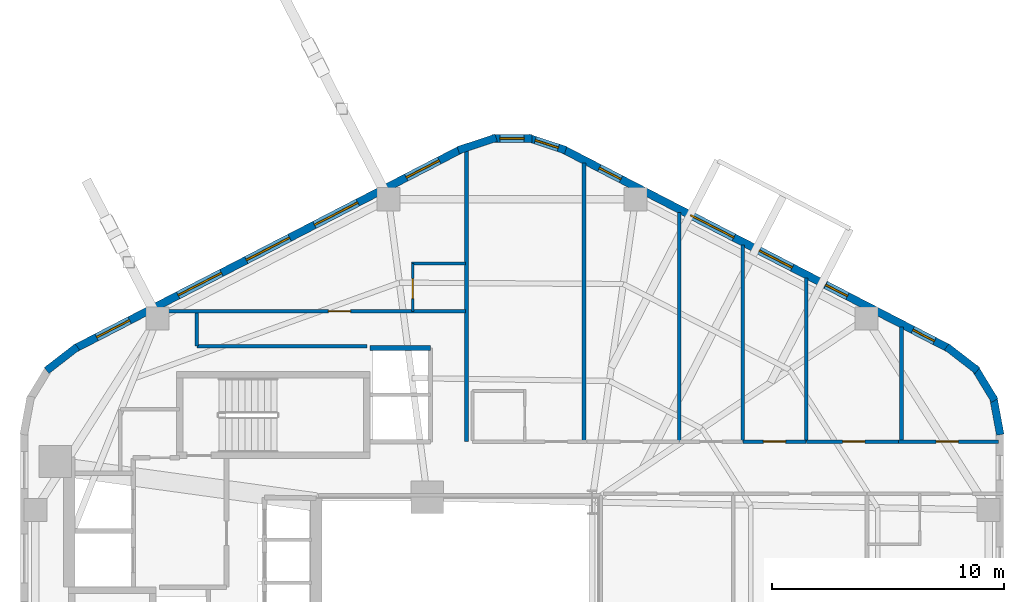
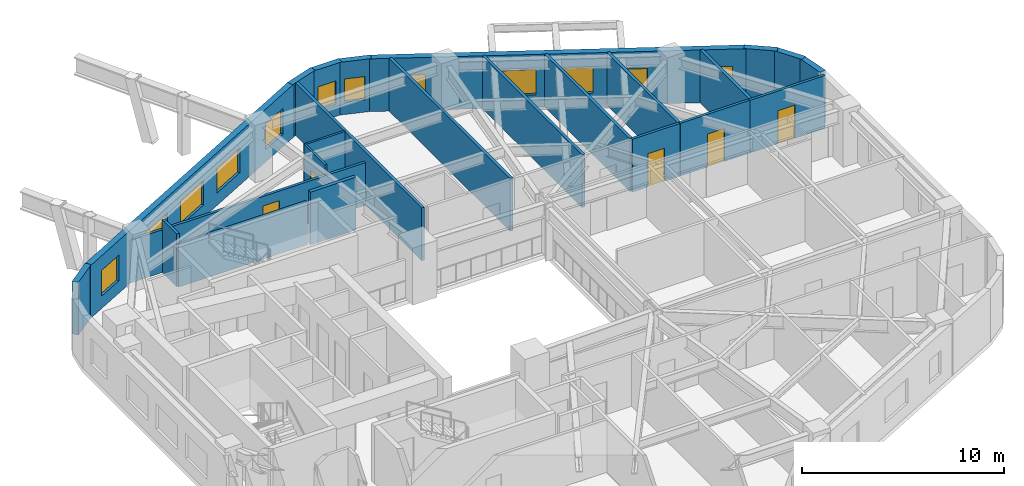
# One storey, part 6 of 8: 24 walls, 12 windows, 5 doors, 17 openings.
"""IFC4 building model written with IfcOpenShell, lengths in metres."""

from ifc_helpers import new_model, si_unit, direction, frame, frame_2d, origin, place, context, subcontext, project, spatial, rectangle, extrude, material, layer, layer_set, type_object, element, fill, save


model = new_model("IFC4")

# Units and contexts
model_context = context("Model", 3, precision=1e-05, world=origin(), true_north=direction((0.0, 1.0)))
body_context = subcontext(model_context, "Body", "Model", "MODEL_VIEW")
ifc_project = project(units=[si_unit("LENGTHUNIT", "METRE"), si_unit("AREAUNIT", "SQUARE_METRE"), si_unit("VOLUMEUNIT", "CUBIC_METRE"), si_unit("PLANEANGLEUNIT", "RADIAN"), si_unit("MASSUNIT", "GRAM", prefix="KILO"), si_unit("THERMODYNAMICTEMPERATUREUNIT", "KELVIN"), si_unit("POWERUNIT", "WATT")], contexts=[model_context])

# Site, building, storey
site_placement = place(None, origin())
site = spatial("IfcSite", under=ifc_project, at=site_placement, CompositionType="ELEMENT")
building_placement = place(site_placement, origin())
building = spatial("IfcBuilding", under=site, at=building_placement, Name="Skarre Station Tower", CompositionType="ELEMENT")
storey_placement = place(building_placement, frame((0.0, 0.0, 129.14990234375)))
storey = spatial("IfcBuildingStorey", under=building, at=storey_placement, Name="L34", CompositionType="ELEMENT", Elevation=129.14990234375)

# Wall, opening, door
ifc_material_1 = material(Name="Acoustic Steel-Stud Gypsum Partition", Category="steel")
ifc_layer_1 = layer(ifc_material_1, 0.14990234375, Name="Acoustic Steel-Stud Gypsum Partition")
ifc_layer_set_1 = layer_set([ifc_layer_1], Name="Acoustic Steel-Stud Gypsum Partition")
wall_type_1 = type_object("IfcWallType", Name="Fire-Rated Corridor Acoustic Partition 150", PredefinedType="PARTITIONING", material=ifc_layer_set_1)
wall_1_placement = place(storey_placement, frame((34.0, 37.580078125, 0.0), z_axis=(0.0, 0.0, 1.0), x_axis=(-1.0, 0.0, 0.0)))
wall_1 = element("IfcWall", 1, at=wall_1_placement, inside=storey, type_object=wall_type_1, Name="L34 Interior Partition WL-PT-L34-NWW1-CW", PredefinedType="PARTITIONING", context=body_context, shape_type="SweptSolid", body=[
    extrude(rectangle(XDim=13.70703125, YDim=0.14990234375, at=frame_2d((6.853515625, 0.0))), origin(), (0.0, 0.0, 1.0), 2.58203125),
])
opening_1_placement = place(wall_1_placement, frame((4.9599609375, 0.0, 0.0)))
opening_1 = element("IfcOpeningElement", 2, at=opening_1_placement, cuts=wall_1, Name="Opening DR-FD60", PredefinedType="OPENING", context=body_context, shape_type="SweptSolid", body=[
    extrude(rectangle(XDim=0.9599609375, YDim=2.0, at=frame_2d((0.47998046875, 1.0))), frame((0.0, 0.0849609375, 0.0), z_axis=(0.0, -1.0, 0.0), x_axis=(1.0, 0.0, 0.0)), (0.0, 0.0, 1.0), 0.169921875),
])
ifc_material_2 = material(Name="Nordic White-Oak Veneer Solid-Core Fire Leaf", Category="wood")
door_type_1 = type_object("IfcDoorType", Name="Corridor Suite Entry Fire Door FD60 960x2150", OperationType="SINGLE_SWING_LEFT", PredefinedType="DOOR", material=ifc_material_2)
door_1_placement = place(opening_1_placement, origin())
door_1 = element("IfcDoor", 3, at=door_1_placement, inside=storey, type_object=door_type_1, Name="L34 NWW1 Entry Door", OperationType="SINGLE_SWING_LEFT", OverallHeight=2.0, OverallWidth=0.9599609375, PredefinedType="DOOR", context=body_context, shape_type="SweptSolid", body=[
    extrude(rectangle(XDim=0.9599609375, YDim=2.0, at=frame_2d((0.47998046875, 1.0))), frame((0.0, 0.02490234375, 0.0), z_axis=(0.0, -1.0, 0.0), x_axis=(1.0, 0.0, 0.0)), (0.0, 0.0, 1.0), 0.050048828125),
])
fill(opening_1, door_1)

wall_2_placement = place(storey_placement, frame((48.679931640625, 31.9599609375, 0.0), z_axis=(0.0, 0.0, 1.0), x_axis=(-1.0, 0.0, 0.0)))
wall_2 = element("IfcWall", 4, at=wall_2_placement, inside=storey, type_object=wall_type_1, Name="L34 Interior Partition WL-PT-L34-NW4-CW", PredefinedType="PARTITIONING", context=body_context, shape_type="SweptSolid", body=[
    extrude(rectangle(XDim=2.7080078125, YDim=0.14990234375, at=frame_2d((1.35400390625, 0.0))), origin(), (0.0, 0.0, 1.0), 3.190185546875),
])
opening_2_placement = place(wall_2_placement, frame((0.8740234375, 0.0, 0.0)))
opening_2 = element("IfcOpeningElement", 5, at=opening_2_placement, cuts=wall_2, Name="Opening DR-FD60", PredefinedType="OPENING", context=body_context, shape_type="SweptSolid", body=[
    extrude(rectangle(XDim=0.9599609375, YDim=2.0, at=frame_2d((0.47998046875, 1.0))), frame((0.0, 0.0849609375, 0.0), z_axis=(0.0, -1.0, 0.0), x_axis=(1.0, 0.0, 0.0)), (0.0, 0.0, 1.0), 0.169921875),
])
door_2_placement = place(opening_2_placement, origin())
door_2 = element("IfcDoor", 6, at=door_2_placement, inside=storey, type_object=door_type_1, Name="L34 NW4 Entry Door", OperationType="SINGLE_SWING_LEFT", OverallHeight=2.0, OverallWidth=0.9599609375, PredefinedType="DOOR", context=body_context, shape_type="SweptSolid", body=[
    extrude(rectangle(XDim=0.9599609375, YDim=2.0, at=frame_2d((0.47998046875, 1.0))), frame((0.0, 0.02490234375, 0.0), z_axis=(0.0, -1.0, 0.0), x_axis=(1.0, 0.0, 0.0)), (0.0, 0.0, 1.0), 0.050048828125),
])
fill(opening_2, door_2)

wall_3_placement = place(storey_placement, frame((52.677001953125, 31.9599609375, 0.0), z_axis=(0.0, 0.0, 1.0), x_axis=(-1.0, 0.0, 0.0)))
wall_3 = element("IfcWall", 7, at=wall_3_placement, inside=storey, type_object=wall_type_1, Name="L34 Interior Partition WL-PT-L34-NW5-CW", PredefinedType="PARTITIONING", context=body_context, shape_type="SweptSolid", body=[
    extrude(rectangle(XDim=3.965087890625, YDim=0.14990234375, at=frame_2d((1.982421875, 0.0))), origin(), (0.0, 0.0, 1.0), 3.190185546875),
])
opening_3_placement = place(wall_3_placement, frame((1.446044921875, 0.0, 0.0)))
opening_3 = element("IfcOpeningElement", 8, at=opening_3_placement, cuts=wall_3, Name="Opening DR-FD60", PredefinedType="OPENING", context=body_context, shape_type="SweptSolid", body=[
    extrude(rectangle(XDim=0.9599609375, YDim=2.0, at=frame_2d((0.47998046875, 1.0))), frame((0.0, 0.0849609375, 0.0), z_axis=(0.0, -1.0, 0.0), x_axis=(1.0, 0.0, 0.0)), (0.0, 0.0, 1.0), 0.169921875),
])
door_3_placement = place(opening_3_placement, origin())
door_3 = element("IfcDoor", 9, at=door_3_placement, inside=storey, type_object=door_type_1, Name="L34 NW5 Entry Door", OperationType="SINGLE_SWING_LEFT", OverallHeight=2.0, OverallWidth=0.9599609375, PredefinedType="DOOR", context=body_context, shape_type="SweptSolid", body=[
    extrude(rectangle(XDim=0.9599609375, YDim=2.0, at=frame_2d((0.47998046875, 1.0))), frame((0.0, 0.02490234375, 0.0), z_axis=(0.0, -1.0, 0.0), x_axis=(1.0, 0.0, 0.0)), (0.0, 0.0, 1.0), 0.050048828125),
])
fill(opening_3, door_3)

wall_4_placement = place(storey_placement, frame((56.987060546875, 31.9599609375, 0.0), z_axis=(0.0, 0.0, 1.0), x_axis=(-1.0, 0.0, 0.0)))
wall_4 = element("IfcWall", 10, at=wall_4_placement, inside=storey, type_object=wall_type_1, Name="L34 Interior Partition WL-PT-L34-NW6-CW", PredefinedType="PARTITIONING", context=body_context, shape_type="SweptSolid", body=[
    extrude(rectangle(XDim=4.300048828125, YDim=0.14990234375, at=frame_2d((2.14990234375, 0.0))), origin(), (0.0, 0.0, 1.0), 3.190185546875),
])
opening_4_placement = place(wall_4_placement, frame((1.72705078125, 0.0, 0.0)))
opening_4 = element("IfcOpeningElement", 11, at=opening_4_placement, cuts=wall_4, Name="Opening DR-FD60", PredefinedType="OPENING", context=body_context, shape_type="SweptSolid", body=[
    extrude(rectangle(XDim=0.9599609375, YDim=2.0, at=frame_2d((0.47998046875, 1.0))), frame((0.0, 0.0849609375, 0.0), z_axis=(0.0, -1.0, 0.0), x_axis=(1.0, 0.0, 0.0)), (0.0, 0.0, 1.0), 0.169921875),
])
door_4_placement = place(opening_4_placement, origin())
door_4 = element("IfcDoor", 12, at=door_4_placement, inside=storey, type_object=door_type_1, Name="L34 NW6 Entry Door", OperationType="SINGLE_SWING_LEFT", OverallHeight=2.0, OverallWidth=0.9599609375, PredefinedType="DOOR", context=body_context, shape_type="SweptSolid", body=[
    extrude(rectangle(XDim=0.9599609375, YDim=2.0, at=frame_2d((0.47998046875, 1.0))), frame((0.0, 0.02490234375, 0.0), z_axis=(0.0, -1.0, 0.0), x_axis=(1.0, 0.0, 0.0)), (0.0, 0.0, 1.0), 0.050048828125),
])
fill(opening_4, door_4)

# Walls
wall_5_placement = place(storey_placement, frame((29.7529296875, 36.080078125, 0.0), z_axis=(0.0, 0.0, 1.0), x_axis=(-1.0, 0.0, 0.0)))
element("IfcWall", 13, at=wall_5_placement, inside=storey, type_object=wall_type_1, Name="L34 Interior Partition WL-PT-L34-CSEAL-1", PredefinedType="PARTITIONING", context=body_context, shape_type="SweptSolid", body=[
    extrude(rectangle(XDim=7.35302734375, YDim=0.14990234375, at=frame_2d((3.676513671875, 0.0))), origin(), (0.0, 0.0, 1.0), 2.58203125),
])
wall_6_placement = place(storey_placement, frame((22.39990234375, 36.080078125, 0.0), z_axis=(0.0, 0.0, 1.0), x_axis=(0.0, 1.0, 0.0)))
element("IfcWall", 14, at=wall_6_placement, inside=storey, type_object=wall_type_1, Name="L34 Interior Partition WL-PT-L34-CSEAL-2", PredefinedType="PARTITIONING", context=body_context, shape_type="SweptSolid", body=[
    extrude(rectangle(XDim=1.429931640625, YDim=0.14990234375, at=frame_2d((0.71484375, 0.0))), origin(), (0.0, 0.0, 1.0), 3.190185546875),
])
ifc_material_3 = material(Name="Insulated Timber-Stud Gypsum Partition", Category="wood")
ifc_layer_2 = layer(ifc_material_3, 0.1201171875, Name="Insulated Timber-Stud Gypsum Partition")
ifc_layer_set_2 = layer_set([ifc_layer_2], Name="Insulated Timber-Stud Gypsum Partition")
wall_type_2 = type_object("IfcWallType", Name="Internal Suite Acoustic Partition 120", PredefinedType="PARTITIONING", material=ifc_layer_set_2)
wall_7_placement = place(storey_placement, frame((34.0, 39.639892578125, 0.0), z_axis=(0.0, 0.0, 1.0), x_axis=(-1.0, 0.0, 0.0)))
element("IfcWall", 15, at=wall_7_placement, inside=storey, type_object=wall_type_2, Name="L34 Interior Partition WL-PT-L34-NWW1-EW3", PredefinedType="PARTITIONING", context=body_context, shape_type="SweptSolid", body=[
    extrude(rectangle(XDim=2.340087890625, YDim=0.1201171875, at=frame_2d((1.169921875, 0.0))), origin(), (0.0, 0.0, 1.0), 3.190185546875),
])

# Wall, opening, door
wall_8_placement = place(storey_placement, frame((31.719970703125, 39.639892578125, 0.0), z_axis=(0.0, 0.0, 1.0), x_axis=(0.0, -1.0, 0.0)))
wall_8 = element("IfcWall", 16, at=wall_8_placement, inside=storey, type_object=wall_type_2, Name="L34 Interior Partition WL-PT-L34-NWW1-EW4", PredefinedType="PARTITIONING", context=body_context, shape_type="SweptSolid", body=[
    extrude(rectangle(XDim=2.059814453125, YDim=0.1201171875, at=frame_2d((1.02978515625, 0.0))), origin(), (0.0, 0.0, 1.0), 3.190185546875),
])
opening_5_placement = place(wall_8_placement, frame((0.64990234375, 0.0, 0.0)))
opening_5 = element("IfcOpeningElement", 17, at=opening_5_placement, cuts=wall_8, Name="Opening DR-INT86", PredefinedType="OPENING", context=body_context, shape_type="SweptSolid", body=[
    extrude(rectangle(XDim=0.860107421875, YDim=2.0, at=frame_2d((0.43017578125, 1.0))), frame((0.0, 0.070068359375, 0.0), z_axis=(0.0, -1.0, 0.0), x_axis=(1.0, 0.0, 0.0)), (0.0, 0.0, 1.0), 0.14013671875),
])
ifc_material_4 = material(Name="Nordic Birch Acoustic Solid-Core Timber Leaf", Category="wood")
door_type_2 = type_object("IfcDoorType", Name="Internal En-Suite & Bedroom Door 860x2100", OperationType="SINGLE_SWING_LEFT", PredefinedType="DOOR", material=ifc_material_4)
door_5_placement = place(opening_5_placement, origin())
door_5 = element("IfcDoor", 18, at=door_5_placement, inside=storey, type_object=door_type_2, Name="L34 NWW1 En-suite Door", OperationType="SINGLE_SWING_RIGHT", OverallHeight=2.0, OverallWidth=0.860107421875, PredefinedType="DOOR", context=body_context, shape_type="SweptSolid", body=[
    extrude(rectangle(XDim=0.860107421875, YDim=2.0, at=frame_2d((0.43017578125, 1.0))), frame((0.0, 0.02490234375, 0.0), z_axis=(0.0, -1.0, 0.0), x_axis=(1.0, 0.0, 0.0)), (0.0, 0.0, 1.0), 0.050048828125),
])
fill(opening_5, door_5)

# Wall, openings, windows
ifc_material_5 = material(Name="Precast concrete C45/55", Category="concrete")
ifc_layer_3 = layer(ifc_material_5, 0.340087890625, Name="Precast concrete C45/55")
ifc_layer_set_3 = layer_set([ifc_layer_3], Name="Precast concrete C45/55")
wall_type_3 = type_object("IfcWallType", Name="Nordic Honed Precast Facet Wall 340", PredefinedType="STANDARD", material=ifc_layer_set_3)
wall_9_placement = place(storey_placement, frame((38.23095703125, 44.55810546875, 0.0), z_axis=(0.0, 0.0, 1.0), x_axis=(0.888613612362, -0.458656568606, 0.0)))
wall_9 = element("IfcWall", 19, at=wall_9_placement, inside=storey, type_object=wall_type_3, Name="L34 Facet 0 Nordic Precast Masonry Wall", PredefinedType="STANDARD", context=body_context, shape_type="SweptSolid", body=[
    extrude(rectangle(XDim=18.680908203125, YDim=0.340087890625, at=frame_2d((9.34033203125, 0.0))), origin(), (0.0, 0.0, 1.0), 3.190185546875),
])
opening_6_placement = place(wall_9_placement, frame((1.72705078125, 0.0, 0.75)))
opening_6 = element("IfcOpeningElement", 20, at=opening_6_placement, cuts=wall_9, Name="Opening WN-SLT", PredefinedType="OPENING", context=body_context, shape_type="SweptSolid", body=[
    extrude(rectangle(XDim=1.050048828125, YDim=1.39990234375, at=frame_2d((0.52490234375, 0.699951171875))), frame((0.0, 0.179931640625, 0.0), z_axis=(0.0, -1.0, 0.0), x_axis=(1.0, 0.0, 0.0)), (0.0, 0.0, 1.0), 0.360107421875),
])
opening_7_placement = place(wall_9_placement, frame((6.1630859375, 0.0, 0.75)))
opening_7 = element("IfcOpeningElement", 21, at=opening_7_placement, cuts=wall_9, Name="Opening WN-Z2B", PredefinedType="OPENING", context=body_context, shape_type="SweptSolid", body=[
    extrude(rectangle(XDim=2.10009765625, YDim=1.5, at=frame_2d((1.050048828125, 0.75))), frame((0.0, 0.179931640625, 0.0), z_axis=(0.0, -1.0, 0.0), x_axis=(1.0, 0.0, 0.0)), (0.0, 0.0, 1.0), 0.360107421875),
])
opening_8_placement = place(wall_9_placement, frame((9.4970703125, 0.0, 0.75)))
opening_8 = element("IfcOpeningElement", 22, at=opening_8_placement, cuts=wall_9, Name="Opening WN-Z2A", PredefinedType="OPENING", context=body_context, shape_type="SweptSolid", body=[
    extrude(rectangle(XDim=1.60009765625, YDim=1.550048828125, at=frame_2d((0.800048828125, 0.77490234375))), frame((0.0, 0.179931640625, 0.0), z_axis=(0.0, -1.0, 0.0), x_axis=(1.0, 0.0, 0.0)), (0.0, 0.0, 1.0), 0.360107421875),
])
opening_9_placement = place(wall_9_placement, frame((12.72802734375, 0.0, 0.75)))
opening_9 = element("IfcOpeningElement", 23, at=opening_9_placement, cuts=wall_9, Name="Opening WN-SLT", PredefinedType="OPENING", context=body_context, shape_type="SweptSolid", body=[
    extrude(rectangle(XDim=1.050048828125, YDim=1.39990234375, at=frame_2d((0.52490234375, 0.699951171875))), frame((0.0, 0.179931640625, 0.0), z_axis=(0.0, -1.0, 0.0), x_axis=(1.0, 0.0, 0.0)), (0.0, 0.0, 1.0), 0.360107421875),
])
opening_10_placement = place(wall_9_placement, frame((16.9541015625, 0.0, 0.75)))
opening_10 = element("IfcOpeningElement", 24, at=opening_10_placement, cuts=wall_9, Name="Opening WN-SLT", PredefinedType="OPENING", context=body_context, shape_type="SweptSolid", body=[
    extrude(rectangle(XDim=1.050048828125, YDim=1.39990234375, at=frame_2d((0.52490234375, 0.699951171875))), frame((0.0, 0.179931640625, 0.0), z_axis=(0.0, -1.0, 0.0), x_axis=(1.0, 0.0, 0.0)), (0.0, 0.0, 1.0), 0.360107421875),
])
ifc_material_6 = material(Name="Low-Iron Triple Glazing with Bronze Anodized Frame", Category="glass")
window_type_1 = type_object("IfcWindowType", Name="Nordic Corner Slot Window 1050x1400", PartitioningType="SINGLE_PANEL", PredefinedType="WINDOW", material=ifc_material_6)
window_1_placement = place(opening_6_placement, origin())
window_1 = element("IfcWindow", 25, at=window_1_placement, inside=storey, type_object=window_type_1, Name="L34 Facade Window WL-FAC-L34-F0-1", OverallHeight=1.39990234375, OverallWidth=1.050048828125, PartitioningType="SINGLE_PANEL", PredefinedType="WINDOW", context=body_context, shape_type="SweptSolid", body=[
    extrude(rectangle(XDim=1.050048828125, YDim=1.39990234375, at=frame_2d((0.52490234375, 0.699951171875))), frame((0.0, 0.030029296875, 0.0), z_axis=(0.0, -1.0, 0.0), x_axis=(1.0, 0.0, 0.0)), (0.0, 0.0, 1.0), 0.06005859375),
])
fill(opening_6, window_1)
window_2_placement = place(opening_9_placement, origin())
window_2 = element("IfcWindow", 26, at=window_2_placement, inside=storey, type_object=window_type_1, Name="L34 Facade Window WL-FAC-L34-F0-4", OverallHeight=1.39990234375, OverallWidth=1.050048828125, PartitioningType="SINGLE_PANEL", PredefinedType="WINDOW", context=body_context, shape_type="SweptSolid", body=[
    extrude(rectangle(XDim=1.050048828125, YDim=1.39990234375, at=frame_2d((0.52490234375, 0.699951171875))), frame((0.0, 0.030029296875, 0.0), z_axis=(0.0, -1.0, 0.0), x_axis=(1.0, 0.0, 0.0)), (0.0, 0.0, 1.0), 0.06005859375),
])
fill(opening_9, window_2)
window_3_placement = place(opening_10_placement, origin())
window_3 = element("IfcWindow", 27, at=window_3_placement, inside=storey, type_object=window_type_1, Name="L34 Facade Window WL-FAC-L34-F0-5", OverallHeight=1.39990234375, OverallWidth=1.050048828125, PartitioningType="SINGLE_PANEL", PredefinedType="WINDOW", context=body_context, shape_type="SweptSolid", body=[
    extrude(rectangle(XDim=1.050048828125, YDim=1.39990234375, at=frame_2d((0.52490234375, 0.699951171875))), frame((0.0, 0.030029296875, 0.0), z_axis=(0.0, -1.0, 0.0), x_axis=(1.0, 0.0, 0.0)), (0.0, 0.0, 1.0), 0.06005859375),
])
fill(opening_10, window_3)
window_type_2 = type_object("IfcWindowType", Name="Nordic Residential Tall Window 1600x1550", PartitioningType="SINGLE_PANEL", PredefinedType="WINDOW", material=ifc_material_6)
window_4_placement = place(opening_8_placement, origin())
window_4 = element("IfcWindow", 28, at=window_4_placement, inside=storey, type_object=window_type_2, Name="L34 Facade Window WL-FAC-L34-F0-3", OverallHeight=1.550048828125, OverallWidth=1.60009765625, PartitioningType="SINGLE_PANEL", PredefinedType="WINDOW", context=body_context, shape_type="SweptSolid", body=[
    extrude(rectangle(XDim=1.60009765625, YDim=1.550048828125, at=frame_2d((0.800048828125, 0.77490234375))), frame((0.0, 0.030029296875, 0.0), z_axis=(0.0, -1.0, 0.0), x_axis=(1.0, 0.0, 0.0)), (0.0, 0.0, 1.0), 0.06005859375),
])
fill(opening_8, window_4)
window_type_3 = type_object("IfcWindowType", Name="Nordic Residential Twin Window 2100x1500", PartitioningType="SINGLE_PANEL", PredefinedType="WINDOW", material=ifc_material_6)
window_5_placement = place(opening_7_placement, origin())
window_5 = element("IfcWindow", 29, at=window_5_placement, inside=storey, type_object=window_type_3, Name="L34 Facade Window WL-FAC-L34-F0-2", OverallHeight=1.5, OverallWidth=2.10009765625, PartitioningType="SINGLE_PANEL", PredefinedType="WINDOW", context=body_context, shape_type="SweptSolid", body=[
    extrude(rectangle(XDim=2.10009765625, YDim=1.5, at=frame_2d((1.050048828125, 0.75))), frame((0.0, 0.030029296875, 0.0), z_axis=(0.0, -1.0, 0.0), x_axis=(1.0, 0.0, 0.0)), (0.0, 0.0, 1.0), 0.06005859375),
])
fill(opening_7, window_5)

wall_10_placement = place(storey_placement, frame((17.1689453125, 35.989990234375, 0.0), z_axis=(0.0, 0.0, 1.0), x_axis=(0.888613612362, 0.458656568606, 0.0)))
wall_10 = element("IfcWall", 30, at=wall_10_placement, inside=storey, type_object=wall_type_3, Name="L34 Facet 1 Nordic Precast Masonry Wall", PredefinedType="STANDARD", context=body_context, shape_type="SweptSolid", body=[
    extrude(rectangle(XDim=18.680908203125, YDim=0.340087890625, at=frame_2d((9.34033203125, 0.0))), origin(), (0.0, 0.0, 1.0), 3.190185546875),
])
opening_11_placement = place(wall_10_placement, frame((1.02294921875, 0.0, 0.75)))
opening_11 = element("IfcOpeningElement", 31, at=opening_11_placement, cuts=wall_10, Name="Opening WN-Z2A", PredefinedType="OPENING", context=body_context, shape_type="SweptSolid", body=[
    extrude(rectangle(XDim=1.60009765625, YDim=1.550048828125, at=frame_2d((0.800048828125, 0.77490234375))), frame((0.0, 0.179931640625, 0.0), z_axis=(0.0, -1.0, 0.0), x_axis=(1.0, 0.0, 0.0)), (0.0, 0.0, 1.0), 0.360107421875),
])
opening_12_placement = place(wall_10_placement, frame((4.98095703125, 0.0, 0.75)))
opening_12 = element("IfcOpeningElement", 32, at=opening_12_placement, cuts=wall_10, Name="Opening WN-Z2B", PredefinedType="OPENING", context=body_context, shape_type="SweptSolid", body=[
    extrude(rectangle(XDim=2.10009765625, YDim=1.5, at=frame_2d((1.050048828125, 0.75))), frame((0.0, 0.179931640625, 0.0), z_axis=(0.0, -1.0, 0.0), x_axis=(1.0, 0.0, 0.0)), (0.0, 0.0, 1.0), 0.360107421875),
])
opening_13_placement = place(wall_10_placement, frame((8.2900390625, 0.0, 0.75)))
opening_13 = element("IfcOpeningElement", 33, at=opening_13_placement, cuts=wall_10, Name="Opening WN-Z2B", PredefinedType="OPENING", context=body_context, shape_type="SweptSolid", body=[
    extrude(rectangle(XDim=2.10009765625, YDim=1.5, at=frame_2d((1.050048828125, 0.75))), frame((0.0, 0.179931640625, 0.0), z_axis=(0.0, -1.0, 0.0), x_axis=(1.0, 0.0, 0.0)), (0.0, 0.0, 1.0), 0.360107421875),
])
opening_14_placement = place(wall_10_placement, frame((11.60009765625, 0.0, 0.75)))
opening_14 = element("IfcOpeningElement", 34, at=opening_14_placement, cuts=wall_10, Name="Opening WN-Z2B", PredefinedType="OPENING", context=body_context, shape_type="SweptSolid", body=[
    extrude(rectangle(XDim=2.10009765625, YDim=1.5, at=frame_2d((1.050048828125, 0.75))), frame((0.0, 0.179931640625, 0.0), z_axis=(0.0, -1.0, 0.0), x_axis=(1.0, 0.0, 0.0)), (0.0, 0.0, 1.0), 0.360107421875),
])
opening_15_placement = place(wall_10_placement, frame((16.05810546875, 0.0, 0.75)))
opening_15 = element("IfcOpeningElement", 35, at=opening_15_placement, cuts=wall_10, Name="Opening WN-Z2A", PredefinedType="OPENING", context=body_context, shape_type="SweptSolid", body=[
    extrude(rectangle(XDim=1.60009765625, YDim=1.550048828125, at=frame_2d((0.800048828125, 0.77490234375))), frame((0.0, 0.179931640625, 0.0), z_axis=(0.0, -1.0, 0.0), x_axis=(1.0, 0.0, 0.0)), (0.0, 0.0, 1.0), 0.360107421875),
])
window_6_placement = place(opening_11_placement, origin())
window_6 = element("IfcWindow", 36, at=window_6_placement, inside=storey, type_object=window_type_2, Name="L34 Facade Window WL-FAC-L34-F1-1", OverallHeight=1.550048828125, OverallWidth=1.60009765625, PartitioningType="SINGLE_PANEL", PredefinedType="WINDOW", context=body_context, shape_type="SweptSolid", body=[
    extrude(rectangle(XDim=1.60009765625, YDim=1.550048828125, at=frame_2d((0.800048828125, 0.77490234375))), frame((0.0, 0.030029296875, 0.0), z_axis=(0.0, -1.0, 0.0), x_axis=(1.0, 0.0, 0.0)), (0.0, 0.0, 1.0), 0.06005859375),
])
fill(opening_11, window_6)
window_7_placement = place(opening_15_placement, origin())
window_7 = element("IfcWindow", 37, at=window_7_placement, inside=storey, type_object=window_type_2, Name="L34 Facade Window WL-FAC-L34-F1-5", OverallHeight=1.550048828125, OverallWidth=1.60009765625, PartitioningType="SINGLE_PANEL", PredefinedType="WINDOW", context=body_context, shape_type="SweptSolid", body=[
    extrude(rectangle(XDim=1.60009765625, YDim=1.550048828125, at=frame_2d((0.800048828125, 0.77490234375))), frame((0.0, 0.030029296875, 0.0), z_axis=(0.0, -1.0, 0.0), x_axis=(1.0, 0.0, 0.0)), (0.0, 0.0, 1.0), 0.06005859375),
])
fill(opening_15, window_7)
window_8_placement = place(opening_12_placement, origin())
window_8 = element("IfcWindow", 38, at=window_8_placement, inside=storey, type_object=window_type_3, Name="L34 Facade Window WL-FAC-L34-F1-2", OverallHeight=1.5, OverallWidth=2.10009765625, PartitioningType="SINGLE_PANEL", PredefinedType="WINDOW", context=body_context, shape_type="SweptSolid", body=[
    extrude(rectangle(XDim=2.10009765625, YDim=1.5, at=frame_2d((1.050048828125, 0.75))), frame((0.0, 0.030029296875, 0.0), z_axis=(0.0, -1.0, 0.0), x_axis=(1.0, 0.0, 0.0)), (0.0, 0.0, 1.0), 0.06005859375),
])
fill(opening_12, window_8)
window_9_placement = place(opening_13_placement, origin())
window_9 = element("IfcWindow", 39, at=window_9_placement, inside=storey, type_object=window_type_3, Name="L34 Facade Window WL-FAC-L34-F1-3", OverallHeight=1.5, OverallWidth=2.10009765625, PartitioningType="SINGLE_PANEL", PredefinedType="WINDOW", context=body_context, shape_type="SweptSolid", body=[
    extrude(rectangle(XDim=2.10009765625, YDim=1.5, at=frame_2d((1.050048828125, 0.75))), frame((0.0, 0.030029296875, 0.0), z_axis=(0.0, -1.0, 0.0), x_axis=(1.0, 0.0, 0.0)), (0.0, 0.0, 1.0), 0.06005859375),
])
fill(opening_13, window_9)
window_10_placement = place(opening_14_placement, origin())
window_10 = element("IfcWindow", 40, at=window_10_placement, inside=storey, type_object=window_type_3, Name="L34 Facade Window WL-FAC-L34-F1-4", OverallHeight=1.5, OverallWidth=2.10009765625, PartitioningType="SINGLE_PANEL", PredefinedType="WINDOW", context=body_context, shape_type="SweptSolid", body=[
    extrude(rectangle(XDim=2.10009765625, YDim=1.5, at=frame_2d((1.050048828125, 0.75))), frame((0.0, 0.030029296875, 0.0), z_axis=(0.0, -1.0, 0.0), x_axis=(1.0, 0.0, 0.0)), (0.0, 0.0, 1.0), 0.06005859375),
])
fill(opening_14, window_10)

# Walls
ifc_layer_4 = layer(ifc_material_5, 0.330078125, Name="Precast concrete C45/55")
ifc_layer_set_4 = layer_set([ifc_layer_4], Name="Precast concrete C45/55")
wall_type_4 = type_object("IfcWallType", Name="Nordic Rounded Corner Precast Wall 330", PredefinedType="STANDARD", material=ifc_layer_set_4)
wall_11_placement = place(storey_placement, frame((54.757080078125, 36.050048828125, 0.0), z_axis=(0.0, 0.0, 1.0), x_axis=(0.790621329885, -0.612305408053, 0.0)))
element("IfcWall", 41, at=wall_11_placement, inside=storey, type_object=wall_type_4, Name="L34 Rounded Corner Precast Wall F0-1", PredefinedType="STANDARD", context=body_context, shape_type="SweptSolid", body=[
    extrude(rectangle(XDim=1.67578125, YDim=0.330078125, at=frame_2d((0.837890625, 0.0))), origin(), (0.0, 0.0, 1.0), 3.190185546875),
])
wall_12_placement = place(storey_placement, frame((55.95703125, 35.1640625, 0.0), z_axis=(0.0, 0.0, 1.0), x_axis=(0.520519429557, -0.853849824883, 0.0)))
element("IfcWall", 42, at=wall_12_placement, inside=storey, type_object=wall_type_4, Name="L34 Rounded Corner Precast Wall F0-2", PredefinedType="STANDARD", context=body_context, shape_type="SweptSolid", body=[
    extrude(rectangle(XDim=1.67724609375, YDim=0.330078125, at=frame_2d((0.838623046875, 0.0))), origin(), (0.0, 0.0, 1.0), 3.190185546875),
])
wall_13_placement = place(storey_placement, frame((56.762939453125, 33.906982421875, 0.0), z_axis=(0.0, 0.0, 1.0), x_axis=(0.181984991895, -0.983301308209, 0.0)))
element("IfcWall", 43, at=wall_13_placement, inside=storey, type_object=wall_type_4, Name="L34 Rounded Corner Precast Wall F0-3", PredefinedType="STANDARD", context=body_context, shape_type="SweptSolid", body=[
    extrude(rectangle(XDim=1.677001953125, YDim=0.330078125, at=frame_2d((0.83837890625, 0.0))), origin(), (0.0, 0.0, 1.0), 3.190185546875),
])
wall_14_placement = place(storey_placement, frame((33.680908203125, 44.531982421875, 0.0), z_axis=(0.0, 0.0, 1.0), x_axis=(0.949937416267, 0.312440242569, 0.0)))
element("IfcWall", 44, at=wall_14_placement, inside=storey, type_object=wall_type_4, Name="L34 Rounded Corner Precast Wall F1-1", PredefinedType="STANDARD", context=body_context, shape_type="SweptSolid", body=[
    extrude(rectangle(XDim=1.72216796875, YDim=0.330078125, at=frame_2d((0.861083984375, 0.0))), origin(), (0.0, 0.0, 1.0), 3.190185546875),
])

# Wall, opening, window
wall_15_placement = place(storey_placement, frame((35.138916015625, 45.041015625, 0.0), z_axis=(0.0, 0.0, 1.0), x_axis=(1.0, 0.0, 0.0)))
wall_15 = element("IfcWall", 45, at=wall_15_placement, inside=storey, type_object=wall_type_4, Name="L34 Rounded Corner Precast Wall F1-2", PredefinedType="STANDARD", context=body_context, shape_type="SweptSolid", body=[
    extrude(rectangle(XDim=1.72216796875, YDim=0.330078125, at=frame_2d((0.861083984375, 0.0))), origin(), (0.0, 0.0, 1.0), 3.190185546875),
])
opening_16_placement = place(wall_15_placement, frame((0.3359375, 0.0, 0.75)))
opening_16 = element("IfcOpeningElement", 46, at=opening_16_placement, cuts=wall_15, Name="Opening WN-SLT", PredefinedType="OPENING", context=body_context, shape_type="SweptSolid", body=[
    extrude(rectangle(XDim=1.050048828125, YDim=1.39990234375, at=frame_2d((0.52490234375, 0.699951171875))), frame((0.0, 0.175048828125, 0.0), z_axis=(0.0, -1.0, 0.0), x_axis=(1.0, 0.0, 0.0)), (0.0, 0.0, 1.0), 0.35009765625),
])
window_11_placement = place(opening_16_placement, origin())
window_11 = element("IfcWindow", 47, at=window_11_placement, inside=storey, type_object=window_type_1, Name="L34 Apex Corner Slot Window F1-2", OverallHeight=1.39990234375, OverallWidth=1.050048828125, PartitioningType="SINGLE_PANEL", PredefinedType="WINDOW", context=body_context, shape_type="SweptSolid", body=[
    extrude(rectangle(XDim=1.050048828125, YDim=1.39990234375, at=frame_2d((0.52490234375, 0.699951171875))), frame((0.0, 0.030029296875, 0.0), z_axis=(0.0, -1.0, 0.0), x_axis=(1.0, 0.0, 0.0)), (0.0, 0.0, 1.0), 0.06005859375),
])
fill(opening_16, window_11)

wall_16_placement = place(storey_placement, frame((36.68310546875, 45.070068359375, 0.0), z_axis=(0.0, 0.0, 1.0), x_axis=(0.949937416267, -0.312440242569, 0.0)))
wall_16 = element("IfcWall", 48, at=wall_16_placement, inside=storey, type_object=wall_type_4, Name="L34 Rounded Corner Precast Wall F1-3", PredefinedType="STANDARD", context=body_context, shape_type="SweptSolid", body=[
    extrude(rectangle(XDim=1.72216796875, YDim=0.330078125, at=frame_2d((0.861083984375, 0.0))), origin(), (0.0, 0.0, 1.0), 3.190185546875),
])
opening_17_placement = place(wall_16_placement, frame((0.3359375, 0.0, 0.75)))
opening_17 = element("IfcOpeningElement", 49, at=opening_17_placement, cuts=wall_16, Name="Opening WN-SLT", PredefinedType="OPENING", context=body_context, shape_type="SweptSolid", body=[
    extrude(rectangle(XDim=1.050048828125, YDim=1.39990234375, at=frame_2d((0.52490234375, 0.699951171875))), frame((0.0, 0.175048828125, 0.0), z_axis=(0.0, -1.0, 0.0), x_axis=(1.0, 0.0, 0.0)), (0.0, 0.0, 1.0), 0.35009765625),
])
window_12_placement = place(opening_17_placement, origin())
window_12 = element("IfcWindow", 50, at=window_12_placement, inside=storey, type_object=window_type_1, Name="L34 Apex Corner Slot Window F1-3", OverallHeight=1.39990234375, OverallWidth=1.050048828125, PartitioningType="SINGLE_PANEL", PredefinedType="WINDOW", context=body_context, shape_type="SweptSolid", body=[
    extrude(rectangle(XDim=1.050048828125, YDim=1.39990234375, at=frame_2d((0.52490234375, 0.699951171875))), frame((0.0, 0.030029296875, 0.0), z_axis=(0.0, -1.0, 0.0), x_axis=(1.0, 0.0, 0.0)), (0.0, 0.0, 1.0), 0.06005859375),
])
fill(opening_17, window_12)

# Walls
wall_17_placement = place(storey_placement, frame((15.91796875, 35.02392578125, 0.0), z_axis=(0.0, 0.0, 1.0), x_axis=(0.790621329885, 0.612305408053, 0.0)))
element("IfcWall", 51, at=wall_17_placement, inside=storey, type_object=wall_type_4, Name="L34 Rounded Corner Precast Wall F2-3", PredefinedType="STANDARD", context=body_context, shape_type="SweptSolid", body=[
    extrude(rectangle(XDim=1.67578125, YDim=0.330078125, at=frame_2d((0.837890625, 0.0))), origin(), (0.0, 0.0, 1.0), 3.190185546875),
])
ifc_material_7 = material(Name="Gypsum Concrete Shaft Assembly C30/37", Category="concrete")
ifc_layer_5 = layer(ifc_material_7, 0.199951171875, Name="Gypsum Concrete Shaft Assembly C30/37")
ifc_layer_set_5 = layer_set([ifc_layer_5], Name="Gypsum Concrete Shaft Assembly C30/37")
wall_type_5 = type_object("IfcWallType", Name="Shaft & Core Fire Partition 200", PredefinedType="PARTITIONING", material=ifc_layer_set_5)
wall_18_placement = place(storey_placement, frame((29.8798828125, 36.0, 0.0), z_axis=(0.0, 0.0, 1.0), x_axis=(1.0, 0.0, 0.0)))
element("IfcWall", 52, at=wall_18_placement, inside=storey, type_object=wall_type_5, Name="L34 Interior Partition WL-PT-L34-EX-N", PredefinedType="PARTITIONING", context=body_context, shape_type="SweptSolid", body=[
    extrude(rectangle(XDim=2.60009765625, YDim=0.199951171875, at=frame_2d((1.300048828125, 0.0))), origin(), (0.0, 0.0, 1.0), 3.190185546875),
])
ifc_layer_6 = layer(ifc_material_1, 0.1650390625, Name="Acoustic Steel-Stud Gypsum Partition")
ifc_layer_set_6 = layer_set([ifc_layer_6], Name="Acoustic Steel-Stud Gypsum Partition")
wall_type_6 = type_object("IfcWallType", Name="Suite Demising Acoustic Partition 165", PredefinedType="PARTITIONING", material=ifc_layer_set_6)
wall_19_placement = place(storey_placement, frame((34.0400390625, 31.9599609375, 0.0), z_axis=(0.0, 0.0, 1.0), x_axis=(0.0, 1.0, 0.0)))
element("IfcWall", 53, at=wall_19_placement, inside=storey, type_object=wall_type_6, Name="L34 Interior Partition WL-PT-L34-NW-WBND", PredefinedType="PARTITIONING", context=body_context, shape_type="SweptSolid", body=[
    extrude(rectangle(XDim=12.55810546875, YDim=0.1650390625, at=frame_2d((6.279052734375, 0.0))), origin(), (0.0, 0.0, 1.0), 3.190185546875),
])
wall_20_placement = place(storey_placement, frame((39.10400390625, 31.969970703125, 0.0), z_axis=(0.0, 0.0, 1.0), x_axis=(0.0, 1.0, 0.0)))
element("IfcWall", 54, at=wall_20_placement, inside=storey, type_object=wall_type_6, Name="L34 Interior Partition WL-PT-L34-NW-P1", PredefinedType="PARTITIONING", context=body_context, shape_type="SweptSolid", body=[
    extrude(rectangle(XDim=12.001953125, YDim=0.1650390625, at=frame_2d((6.0009765625, 0.0))), origin(), (0.0, 0.0, 1.0), 3.190185546875),
])
wall_21_placement = place(storey_placement, frame((43.215087890625, 31.969970703125, 0.0), z_axis=(0.0, 0.0, 1.0), x_axis=(0.0, 1.0, 0.0)))
element("IfcWall", 55, at=wall_21_placement, inside=storey, type_object=wall_type_6, Name="L34 Interior Partition WL-PT-L34-NW-P2", PredefinedType="PARTITIONING", context=body_context, shape_type="SweptSolid", body=[
    extrude(rectangle(XDim=9.880126953125, YDim=0.1650390625, at=frame_2d((4.93994140625, 0.0))), origin(), (0.0, 0.0, 1.0), 3.190185546875),
])
wall_22_placement = place(storey_placement, frame((45.9560546875, 31.969970703125, 0.0), z_axis=(0.0, 0.0, 1.0), x_axis=(0.0, 1.0, 0.0)))
element("IfcWall", 56, at=wall_22_placement, inside=storey, type_object=wall_type_6, Name="L34 Interior Partition WL-PT-L34-NW-P3", PredefinedType="PARTITIONING", context=body_context, shape_type="SweptSolid", body=[
    extrude(rectangle(XDim=8.466064453125, YDim=0.1650390625, at=frame_2d((4.23291015625, 0.0))), origin(), (0.0, 0.0, 1.0), 3.190185546875),
])
wall_23_placement = place(storey_placement, frame((48.696044921875, 31.969970703125, 0.0), z_axis=(0.0, 0.0, 1.0), x_axis=(0.0, 1.0, 0.0)))
element("IfcWall", 57, at=wall_23_placement, inside=storey, type_object=wall_type_6, Name="L34 Interior Partition WL-PT-L34-NW-P4", PredefinedType="PARTITIONING", context=body_context, shape_type="SweptSolid", body=[
    extrude(rectangle(XDim=7.051025390625, YDim=0.1650390625, at=frame_2d((3.525390625, 0.0))), origin(), (0.0, 0.0, 1.0), 3.190185546875),
])
wall_24_placement = place(storey_placement, frame((52.806884765625, 31.969970703125, 0.0), z_axis=(0.0, 0.0, 1.0), x_axis=(0.0, 1.0, 0.0)))
element("IfcWall", 58, at=wall_24_placement, inside=storey, type_object=wall_type_6, Name="L34 Interior Partition WL-PT-L34-NW-P5", PredefinedType="PARTITIONING", context=body_context, shape_type="SweptSolid", body=[
    extrude(rectangle(XDim=4.929931640625, YDim=0.1650390625, at=frame_2d((2.46484375, 0.0))), origin(), (0.0, 0.0, 1.0), 3.190185546875),
])

save(model, "model.ifc")
